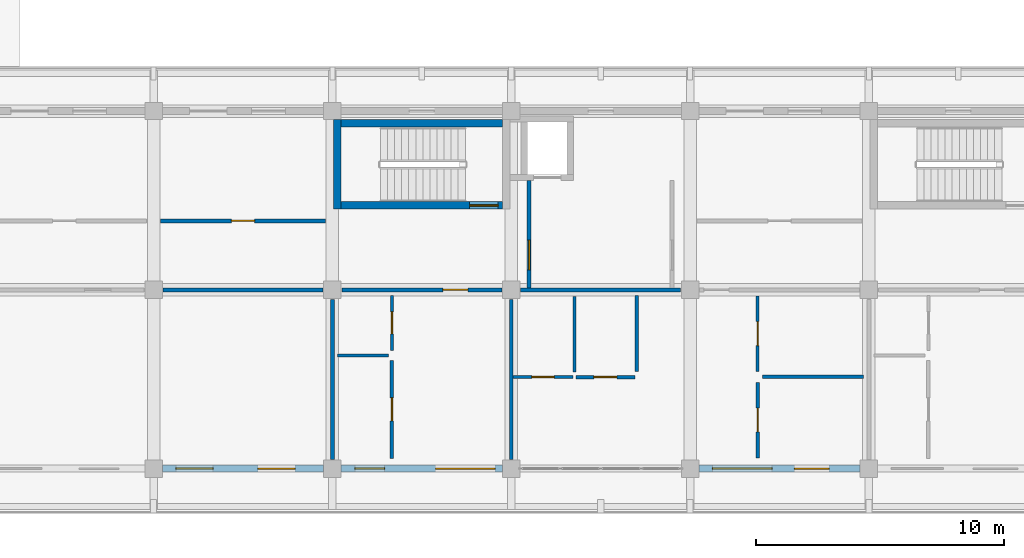
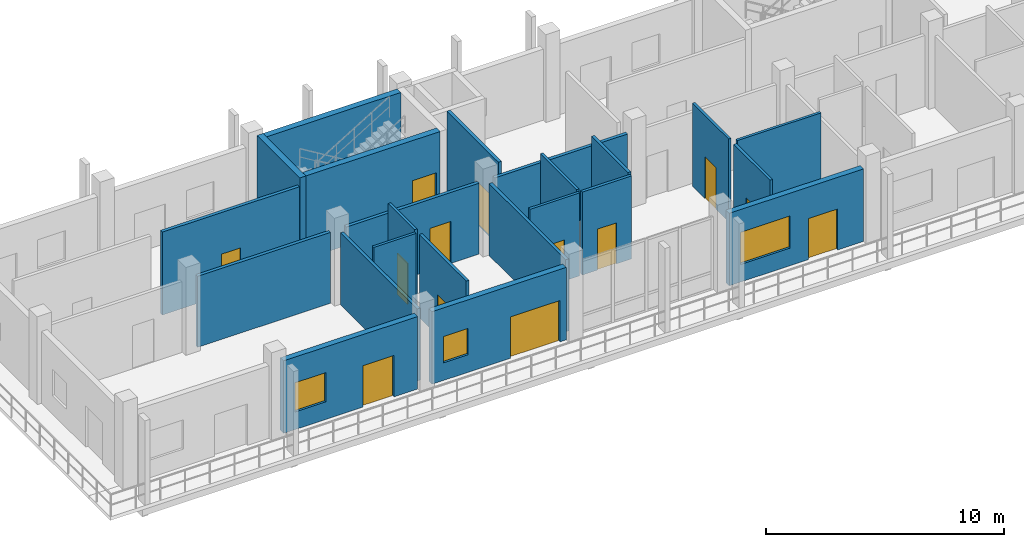
# One storey, part 81 of 110: 23 walls, 13 doors, 3 windows, 16 openings.
"""IFC4 building model written with IfcOpenShell, lengths in metres."""

from ifc_helpers import new_model, si_unit, direction, frame, frame_2d, origin, place, context, subcontext, project, spatial, rectangle, extrude, material, layer, layer_set, type_object, element, fill, save


model = new_model("IFC4")

# Units and contexts
model_context = context("Model", 3, precision=1e-05, world=origin(), true_north=direction((0.0, 1.0)))
body_context = subcontext(model_context, "Body", "Model", "MODEL_VIEW")
ifc_project = project(units=[si_unit("LENGTHUNIT", "METRE"), si_unit("AREAUNIT", "SQUARE_METRE"), si_unit("VOLUMEUNIT", "CUBIC_METRE"), si_unit("PLANEANGLEUNIT", "RADIAN"), si_unit("MASSUNIT", "GRAM", prefix="KILO")], contexts=[model_context])

# Site, building, storey
site_placement = place(None, origin())
site = spatial("IfcSite", under=ifc_project, at=site_placement, CompositionType="ELEMENT")
building_placement = place(site_placement, origin())
building = spatial("IfcBuilding", under=site, at=building_placement, Name="Suanplinth Sawtooth Commons", CompositionType="ELEMENT")
storey_placement = place(building_placement, frame((0.0, 0.0, 4.5)))
storey = spatial("IfcBuildingStorey", under=building, at=storey_placement, Name="L01", CompositionType="ELEMENT", Elevation=4.5)

# Wall, opening, door
ifc_material_1 = material(Name="Concrete C40/50", Category="concrete")
ifc_layer_1 = layer(ifc_material_1, 0.300048828125, Name="Standard RC stair and lift core wall 300mm")
ifc_layer_set_1 = layer_set([ifc_layer_1], Name="Concrete C40/50")
wall_type_1 = type_object("IfcWallType", Name="W-CR02", PredefinedType="SHEAR", material=ifc_layer_set_1)
wall_1_placement = place(storey_placement, frame((137.14990234375, 10.60009765625, 0.0), z_axis=(0.0, 0.0, 1.0), x_axis=(1.0, 0.0, 0.0)))
wall_1 = element("IfcWall", 1, at=wall_1_placement, inside=storey, type_object=wall_type_1, Name="W-L01-C-C1-STS", PredefinedType="SHEAR", context=body_context, shape_type="SweptSolid", body=[
    extrude(rectangle(XDim=6.5, YDim=0.300048828125, at=frame_2d((3.25, 0.0))), origin(), (0.0, 0.0, 1.0), 4.25),
])
opening_1_placement = place(wall_1_placement, frame((5.169921875, 0.0, 0.0)))
opening_1 = element("IfcOpeningElement", 2, at=opening_1_placement, cuts=wall_1, Name="Opening FD0284", PredefinedType="OPENING", context=body_context, shape_type="SweptSolid", body=[
    extrude(rectangle(XDim=1.14990234375, YDim=2.199951171875, at=frame_2d((0.574951171875, 1.10009765625))), frame((0.0, 0.1650390625, 0.0), z_axis=(0.0, -1.0, 0.0), x_axis=(1.0, 0.0, 0.0)), (0.0, 0.0, 1.0), 0.329833984375),
])
ifc_material_2 = material(Name="Teak hardwood fire-rated door assembly", Category="wood")
door_type_1 = type_object("IfcDoorType", Name="FD-01", OperationType="NOTDEFINED", PredefinedType="DOOR", material=ifc_material_2)
door_1_placement = place(opening_1_placement, origin())
door_1 = element("IfcDoor", 3, at=door_1_placement, inside=storey, type_object=door_type_1, Name="Exit Stair Fire Door FD0284", OperationType="SINGLE_SWING_LEFT", OverallHeight=2.199951171875, OverallWidth=1.14990234375, PredefinedType="DOOR", context=body_context, shape_type="SweptSolid", body=[
    extrude(rectangle(XDim=1.14990234375, YDim=2.199951171875, at=frame_2d((0.574951171875, 1.10009765625))), frame((0.0, 0.02490234375, 0.0), z_axis=(0.0, -1.0, 0.0), x_axis=(1.0, 0.0, 0.0)), (0.0, 0.0, 1.0), 0.050048828125),
])
fill(opening_1, door_1)

# Walls
wall_2_placement = place(storey_placement, frame((137.14990234375, 13.89990234375, 0.0), z_axis=(0.0, 0.0, 1.0), x_axis=(1.0, 0.0, 0.0)))
element("IfcWall", 4, at=wall_2_placement, inside=storey, type_object=wall_type_1, Name="W-L01-C-C1-STN", PredefinedType="SHEAR", context=body_context, shape_type="SweptSolid", body=[
    extrude(rectangle(XDim=6.5, YDim=0.300048828125, at=frame_2d((3.25, 0.0))), origin(), (0.0, 0.0, 1.0), 4.25),
])
wall_3_placement = place(storey_placement, frame((137.0, 10.449951171875, 0.0), z_axis=(0.0, 0.0, 1.0), x_axis=(0.0, 1.0, 0.0)))
element("IfcWall", 5, at=wall_3_placement, inside=storey, type_object=wall_type_1, Name="W-L01-C-C1-STW", PredefinedType="SHEAR", context=body_context, shape_type="SweptSolid", body=[
    extrude(rectangle(XDim=3.60009765625, YDim=0.300048828125, at=frame_2d((1.800048828125, 0.0))), origin(), (0.0, 0.0, 1.0), 4.25),
])

# Wall, openings, door, window
ifc_material_3 = material(Name="Precast concrete C40/50", Category="concrete")
ifc_layer_2 = layer(ifc_material_3, 0.280029296875, Name="Insulated precast architectural facade wall 280mm")
ifc_layer_set_2 = layer_set([ifc_layer_2], Name="Precast concrete C40/50")
wall_type_2 = type_object("IfcWallType", Name="W-EX01", PredefinedType="ELEMENTEDWALL", material=ifc_layer_set_2)
wall_4_placement = place(storey_placement, frame((129.949951171875, 0.0, 0.0), z_axis=(0.0, 0.0, 1.0), x_axis=(1.0, 0.0, 0.0)))
wall_4 = element("IfcWall", 6, at=wall_4_placement, inside=storey, type_object=wall_type_2, Name="Facade Wall W-L01-C-S-18-0", PredefinedType="ELEMENTEDWALL", context=body_context, shape_type="SweptSolid", body=[
    extrude(rectangle(XDim=6.5, YDim=0.280029296875, at=frame_2d((3.25, 0.0))), origin(), (0.0, 0.0, 1.0), 3.715087890625),
])
opening_2_placement = place(wall_4_placement, frame((3.85009765625, 0.0, 0.0)))
opening_2 = element("IfcOpeningElement", 7, at=opening_2_placement, cuts=wall_4, Name="Opening ED0090", PredefinedType="OPENING", context=body_context, shape_type="SweptSolid", body=[
    extrude(rectangle(XDim=1.5, YDim=2.1201171875, at=frame_2d((0.75, 1.06005859375))), frame((0.0, 0.15478515625, 0.0), z_axis=(0.0, -1.0, 0.0), x_axis=(1.0, 0.0, 0.0)), (0.0, 0.0, 1.0), 0.309814453125),
])
opening_3_placement = place(wall_4_placement, frame((0.550048828125, 0.0, 0.89990234375)))
opening_3 = element("IfcOpeningElement", 8, at=opening_3_placement, cuts=wall_4, Name="Opening W0212", PredefinedType="OPENING", context=body_context, shape_type="SweptSolid", body=[
    extrude(rectangle(XDim=1.5, YDim=1.5, at=frame_2d((0.75, 0.75))), frame((0.0, 0.15478515625, 0.0), z_axis=(0.0, -1.0, 0.0), x_axis=(1.0, 0.0, 0.0)), (0.0, 0.0, 1.0), 0.309814453125),
])
ifc_material_4 = material(Name="Anodized aluminium and low-E glass", Category="aluminium")
door_type_2 = type_object("IfcDoorType", Name="SD-03", OperationType="SLIDING_TO_LEFT", PredefinedType="DOOR", material=ifc_material_4)
door_2_placement = place(opening_2_placement, frame((1.5, 0.0, 0.0), z_axis=(0.0, 0.0, 1.0), x_axis=(-1.0, 0.0, 0.0)))
door_2 = element("IfcDoor", 9, at=door_2_placement, inside=storey, type_object=door_type_2, Name="Balcony Sliding Door L01-C-18", OperationType="SLIDING_TO_LEFT", OverallHeight=2.1201171875, OverallWidth=1.5, PredefinedType="DOOR", context=body_context, shape_type="SweptSolid", body=[
    extrude(rectangle(XDim=1.5, YDim=2.1201171875, at=frame_2d((0.75, 1.06005859375))), frame((0.0, 0.02490234375, 0.0), z_axis=(0.0, -1.0, 0.0), x_axis=(1.0, 0.0, 0.0)), (0.0, 0.0, 1.0), 0.050048828125),
])
fill(opening_2, door_2)
ifc_material_5 = material(Name="Thermally broken aluminium and low-E double glazing", Category="aluminium")
window_type_1 = type_object("IfcWindowType", Name="WN-02", PartitioningType="DOUBLE_PANEL_VERTICAL", PredefinedType="WINDOW", material=ifc_material_5)
window_1_placement = place(opening_3_placement, origin())
window_1 = element("IfcWindow", 10, at=window_1_placement, inside=storey, type_object=window_type_1, Name="Apartment Window L01-C-18", OverallHeight=1.5, OverallWidth=1.5, PartitioningType="DOUBLE_PANEL_VERTICAL", PredefinedType="WINDOW", context=body_context, shape_type="SweptSolid", body=[
    extrude(rectangle(XDim=1.5, YDim=1.5, at=frame_2d((0.75, 0.75))), frame((0.0, 0.030029296875, 0.0), z_axis=(0.0, -1.0, 0.0), x_axis=(1.0, 0.0, 0.0)), (0.0, 0.0, 1.0), 0.06005859375),
])
fill(opening_3, window_1)

wall_5_placement = place(storey_placement, frame((137.14990234375, 0.0, 0.0), z_axis=(0.0, 0.0, 1.0), x_axis=(1.0, 0.0, 0.0)))
wall_5 = element("IfcWall", 11, at=wall_5_placement, inside=storey, type_object=wall_type_2, Name="Facade Wall W-L01-C-S-19-0", PredefinedType="ELEMENTEDWALL", context=body_context, shape_type="SweptSolid", body=[
    extrude(rectangle(XDim=6.5, YDim=0.280029296875, at=frame_2d((3.25, 0.0))), origin(), (0.0, 0.0, 1.0), 3.715087890625),
])
opening_4_placement = place(wall_5_placement, frame((3.800048828125, 0.0, 0.0)))
opening_4 = element("IfcOpeningElement", 12, at=opening_4_placement, cuts=wall_5, Name="Opening ED0092", PredefinedType="OPENING", context=body_context, shape_type="SweptSolid", body=[
    extrude(rectangle(XDim=2.39990234375, YDim=2.1201171875, at=frame_2d((1.199951171875, 1.06005859375))), frame((0.0, 0.15478515625, 0.0), z_axis=(0.0, -1.0, 0.0), x_axis=(1.0, 0.0, 0.0)), (0.0, 0.0, 1.0), 0.309814453125),
])
opening_5_placement = place(wall_5_placement, frame((0.550048828125, 0.0, 0.89990234375)))
opening_5 = element("IfcOpeningElement", 13, at=opening_5_placement, cuts=wall_5, Name="Opening W0214", PredefinedType="OPENING", context=body_context, shape_type="SweptSolid", body=[
    extrude(rectangle(XDim=1.199951171875, YDim=1.35009765625, at=frame_2d((0.60009765625, 0.675048828125))), frame((0.0, 0.15478515625, 0.0), z_axis=(0.0, -1.0, 0.0), x_axis=(1.0, 0.0, 0.0)), (0.0, 0.0, 1.0), 0.309814453125),
])
door_type_3 = type_object("IfcDoorType", Name="SD-04", OperationType="DOUBLE_DOOR_SLIDING", PredefinedType="DOOR", material=ifc_material_4)
door_3_placement = place(opening_4_placement, frame((2.39990234375, 0.0, 0.0), z_axis=(0.0, 0.0, 1.0), x_axis=(-1.0, 0.0, 0.0)))
door_3 = element("IfcDoor", 14, at=door_3_placement, inside=storey, type_object=door_type_3, Name="Balcony Sliding Door L01-C-19", OperationType="DOUBLE_DOOR_SLIDING", OverallHeight=2.1201171875, OverallWidth=2.39990234375, PredefinedType="DOOR", context=body_context, shape_type="SweptSolid", body=[
    extrude(rectangle(XDim=2.39990234375, YDim=2.1201171875, at=frame_2d((1.199951171875, 1.06005859375))), frame((0.0, 0.02490234375, 0.0), z_axis=(0.0, -1.0, 0.0), x_axis=(1.0, 0.0, 0.0)), (0.0, 0.0, 1.0), 0.050048828125),
])
fill(opening_4, door_3)
window_type_2 = type_object("IfcWindowType", Name="WN-03", PartitioningType="SINGLE_PANEL", PredefinedType="WINDOW", material=ifc_material_5)
window_2_placement = place(opening_5_placement, origin())
window_2 = element("IfcWindow", 15, at=window_2_placement, inside=storey, type_object=window_type_2, Name="Apartment Window L01-C-19", OverallHeight=1.35009765625, OverallWidth=1.199951171875, PartitioningType="SINGLE_PANEL", PredefinedType="WINDOW", context=body_context, shape_type="SweptSolid", body=[
    extrude(rectangle(XDim=1.199951171875, YDim=1.35009765625, at=frame_2d((0.60009765625, 0.675048828125))), frame((0.0, 0.030029296875, 0.0), z_axis=(0.0, -1.0, 0.0), x_axis=(1.0, 0.0, 0.0)), (0.0, 0.0, 1.0), 0.06005859375),
])
fill(opening_5, window_2)

wall_6_placement = place(storey_placement, frame((151.550048828125, 0.0, 0.0), z_axis=(0.0, 0.0, 1.0), x_axis=(1.0, 0.0, 0.0)))
wall_6 = element("IfcWall", 16, at=wall_6_placement, inside=storey, type_object=wall_type_2, Name="Facade Wall W-L01-C-S-21-0", PredefinedType="ELEMENTEDWALL", context=body_context, shape_type="SweptSolid", body=[
    extrude(rectangle(XDim=6.5, YDim=0.280029296875, at=frame_2d((3.25, 0.0))), origin(), (0.0, 0.0, 1.0), 3.715087890625),
])
opening_6_placement = place(wall_6_placement, frame((3.85009765625, 0.0, 0.0)))
opening_6 = element("IfcOpeningElement", 17, at=opening_6_placement, cuts=wall_6, Name="Opening ED0093", PredefinedType="OPENING", context=body_context, shape_type="SweptSolid", body=[
    extrude(rectangle(XDim=1.39990234375, YDim=2.10009765625, at=frame_2d((0.699951171875, 1.050048828125))), frame((0.0, 0.15478515625, 0.0), z_axis=(0.0, -1.0, 0.0), x_axis=(1.0, 0.0, 0.0)), (0.0, 0.0, 1.0), 0.309814453125),
])
opening_7_placement = place(wall_6_placement, frame((0.550048828125, 0.0, 0.89990234375)))
opening_7 = element("IfcOpeningElement", 18, at=opening_7_placement, cuts=wall_6, Name="Opening W0217", PredefinedType="OPENING", context=body_context, shape_type="SweptSolid", body=[
    extrude(rectangle(XDim=2.39990234375, YDim=1.64990234375, at=frame_2d((1.199951171875, 0.824951171875))), frame((0.0, 0.15478515625, 0.0), z_axis=(0.0, -1.0, 0.0), x_axis=(1.0, 0.0, 0.0)), (0.0, 0.0, 1.0), 0.309814453125),
])
door_type_4 = type_object("IfcDoorType", Name="SD-07", OperationType="SLIDING_TO_RIGHT", PredefinedType="DOOR", material=ifc_material_4)
door_4_placement = place(opening_6_placement, frame((1.39990234375, 0.0, 0.0), z_axis=(0.0, 0.0, 1.0), x_axis=(-1.0, 0.0, 0.0)))
door_4 = element("IfcDoor", 19, at=door_4_placement, inside=storey, type_object=door_type_4, Name="Balcony Sliding Door L01-C-21", OperationType="SLIDING_TO_RIGHT", OverallHeight=2.10009765625, OverallWidth=1.39990234375, PredefinedType="DOOR", context=body_context, shape_type="SweptSolid", body=[
    extrude(rectangle(XDim=1.39990234375, YDim=2.10009765625, at=frame_2d((0.699951171875, 1.050048828125))), frame((0.0, 0.02490234375, 0.0), z_axis=(0.0, -1.0, 0.0), x_axis=(1.0, 0.0, 0.0)), (0.0, 0.0, 1.0), 0.050048828125),
])
fill(opening_6, door_4)
window_type_3 = type_object("IfcWindowType", Name="WN-05", PartitioningType="TRIPLE_PANEL_VERTICAL", PredefinedType="WINDOW", material=ifc_material_5)
window_3_placement = place(opening_7_placement, origin())
window_3 = element("IfcWindow", 20, at=window_3_placement, inside=storey, type_object=window_type_3, Name="Apartment Window L01-C-21", OverallHeight=1.64990234375, OverallWidth=2.39990234375, PartitioningType="TRIPLE_PANEL_VERTICAL", PredefinedType="WINDOW", context=body_context, shape_type="SweptSolid", body=[
    extrude(rectangle(XDim=2.39990234375, YDim=1.64990234375, at=frame_2d((1.199951171875, 0.824951171875))), frame((0.0, 0.030029296875, 0.0), z_axis=(0.0, -1.0, 0.0), x_axis=(1.0, 0.0, 0.0)), (0.0, 0.0, 1.0), 0.06005859375),
])
fill(opening_7, window_3)

# Wall, opening, door
ifc_layer_3 = layer(ifc_material_3, 0.159912109375, Name="Fire-rated corridor and lobby wall 160mm")
ifc_layer_set_3 = layer_set([ifc_layer_3], Name="Precast concrete C40/50")
wall_type_3 = type_object("IfcWallType", Name="W-FW01", PredefinedType="PARTITIONING", material=ifc_layer_set_3)
wall_7_placement = place(storey_placement, frame((144.719970703125, 7.280029296875, 0.0), z_axis=(0.0, 0.0, 1.0), x_axis=(0.0, 1.0, 0.0)))
wall_7 = element("IfcWall", 21, at=wall_7_placement, inside=storey, type_object=wall_type_3, Name="W-L01-C-C1-LOB-W", PredefinedType="PARTITIONING", context=body_context, shape_type="SweptSolid", body=[
    extrude(rectangle(XDim=4.320068359375, YDim=0.159912109375, at=frame_2d((2.16015625, 0.0))), origin(), (0.0, 0.0, 1.0), 4.25),
])
opening_8_placement = place(wall_7_placement, frame((0.719970703125, 0.0, 0.0)))
opening_8 = element("IfcOpeningElement", 22, at=opening_8_placement, cuts=wall_7, Name="Opening FD0285", PredefinedType="OPENING", context=body_context, shape_type="SweptSolid", body=[
    extrude(rectangle(XDim=1.199951171875, YDim=2.199951171875, at=frame_2d((0.60009765625, 1.10009765625))), frame((0.0, 0.0947265625, 0.0), z_axis=(0.0, -1.0, 0.0), x_axis=(1.0, 0.0, 0.0)), (0.0, 0.0, 1.0), 0.189697265625),
])
door_type_5 = type_object("IfcDoorType", Name="FD-02", OperationType="NOTDEFINED", PredefinedType="DOOR", material=ifc_material_2)
door_5_placement = place(opening_8_placement, origin())
door_5 = element("IfcDoor", 23, at=door_5_placement, inside=storey, type_object=door_type_5, Name="Lobby Fire Door FD0285", OperationType="SINGLE_SWING_RIGHT", OverallHeight=2.199951171875, OverallWidth=1.199951171875, PredefinedType="DOOR", context=body_context, shape_type="SweptSolid", body=[
    extrude(rectangle(XDim=1.199951171875, YDim=2.199951171875, at=frame_2d((0.60009765625, 1.10009765625))), frame((0.0, 0.02490234375, 0.0), z_axis=(0.0, -1.0, 0.0), x_axis=(1.0, 0.0, 0.0)), (0.0, 0.0, 1.0), 0.050048828125),
])
fill(opening_8, door_5)

# Wall
wall_8_placement = place(storey_placement, frame((129.97998046875, 7.199951171875, 0.0), z_axis=(0.0, 0.0, 1.0), x_axis=(1.0, 0.0, 0.0)))
element("IfcWall", 24, at=wall_8_placement, inside=storey, type_object=wall_type_3, Name="W-C-L01-U01-COR-S2", PredefinedType="PARTITIONING", context=body_context, shape_type="SweptSolid", body=[
    extrude(rectangle(XDim=6.43994140625, YDim=0.159912109375, at=frame_2d((3.219970703125, 0.0))), origin(), (0.0, 0.0, 1.0), 3.635009765625),
])

# Wall, opening, door
wall_9_placement = place(storey_placement, frame((137.179931640625, 7.199951171875, 0.0), z_axis=(0.0, 0.0, 1.0), x_axis=(1.0, 0.0, 0.0)))
wall_9 = element("IfcWall", 25, at=wall_9_placement, inside=storey, type_object=wall_type_3, Name="W-C-L01-U02-COR", PredefinedType="PARTITIONING", context=body_context, shape_type="SweptSolid", body=[
    extrude(rectangle(XDim=6.440185546875, YDim=0.159912109375, at=frame_2d((3.22021484375, 0.0))), origin(), (0.0, 0.0, 1.0), 3.635009765625),
])
opening_9_placement = place(wall_9_placement, frame((4.070068359375, 0.0, 0.0)))
opening_9 = element("IfcOpeningElement", 26, at=opening_9_placement, cuts=wall_9, Name="Opening FD0617", PredefinedType="OPENING", context=body_context, shape_type="SweptSolid", body=[
    extrude(rectangle(XDim=1.0, YDim=2.14990234375, at=frame_2d((0.5, 1.074951171875))), frame((0.0, 0.0947265625, 0.0), z_axis=(0.0, -1.0, 0.0), x_axis=(1.0, 0.0, 0.0)), (0.0, 0.0, 1.0), 0.189697265625),
])
door_type_6 = type_object("IfcDoorType", Name="FD-03", OperationType="NOTDEFINED", PredefinedType="DOOR", material=ifc_material_2)
door_6_placement = place(opening_9_placement, frame((1.0, 0.0, 0.0), z_axis=(0.0, 0.0, 1.0), x_axis=(-1.0, 0.0, 0.0)))
door_6 = element("IfcDoor", 27, at=door_6_placement, inside=storey, type_object=door_type_6, Name="Unit Entrance Door FD0617", OperationType="SINGLE_SWING_LEFT", OverallHeight=2.14990234375, OverallWidth=1.0, PredefinedType="DOOR", context=body_context, shape_type="SweptSolid", body=[
    extrude(rectangle(XDim=1.0, YDim=2.14990234375, at=frame_2d((0.5, 1.074951171875))), frame((0.0, 0.02490234375, 0.0), z_axis=(0.0, -1.0, 0.0), x_axis=(1.0, 0.0, 0.0)), (0.0, 0.0, 1.0), 0.050048828125),
])
fill(opening_9, door_6)

# Wall
wall_10_placement = place(storey_placement, frame((144.3798828125, 7.199951171875, 0.0), z_axis=(0.0, 0.0, 1.0), x_axis=(1.0, 0.0, 0.0)))
element("IfcWall", 28, at=wall_10_placement, inside=storey, type_object=wall_type_3, Name="W-C-L01-U03-COR-S1", PredefinedType="PARTITIONING", context=body_context, shape_type="SweptSolid", body=[
    extrude(rectangle(XDim=6.440185546875, YDim=0.159912109375, at=frame_2d((3.22021484375, 0.0))), origin(), (0.0, 0.0, 1.0), 3.635009765625),
])

# Wall, opening, door
wall_11_placement = place(storey_placement, frame((129.8798828125, 9.97998046875, 0.0), z_axis=(0.0, 0.0, 1.0), x_axis=(1.0, 0.0, 0.0)))
wall_11 = element("IfcWall", 29, at=wall_11_placement, inside=storey, type_object=wall_type_3, Name="W-C-L01-COURTROOM-49-COR", PredefinedType="PARTITIONING", context=body_context, shape_type="SweptSolid", body=[
    extrude(rectangle(XDim=6.64013671875, YDim=0.159912109375, at=frame_2d((3.320068359375, 0.0))), origin(), (0.0, 0.0, 1.0), 4.25),
])
opening_10_placement = place(wall_11_placement, frame((2.85009765625, 0.0, 0.0)))
opening_10 = element("IfcOpeningElement", 30, at=opening_10_placement, cuts=wall_11, Name="Opening D0637", PredefinedType="OPENING", context=body_context, shape_type="SweptSolid", body=[
    extrude(rectangle(XDim=0.93994140625, YDim=2.1201171875, at=frame_2d((0.469970703125, 1.06005859375))), frame((0.0, 0.0947265625, 0.0), z_axis=(0.0, -1.0, 0.0), x_axis=(1.0, 0.0, 0.0)), (0.0, 0.0, 1.0), 0.189697265625),
])
ifc_material_6 = material(Name="Teak hardwood", Category="wood")
door_type_7 = type_object("IfcDoorType", Name="D-15", OperationType="NOTDEFINED", PredefinedType="DOOR", material=ifc_material_6)
door_7_placement = place(opening_10_placement, origin())
door_7 = element("IfcDoor", 31, at=door_7_placement, inside=storey, type_object=door_type_7, Name="Study Studio Door D0637", OperationType="SINGLE_SWING_LEFT", OverallHeight=2.1201171875, OverallWidth=0.93994140625, PredefinedType="DOOR", context=body_context, shape_type="SweptSolid", body=[
    extrude(rectangle(XDim=0.93994140625, YDim=2.1201171875, at=frame_2d((0.469970703125, 1.06005859375))), frame((0.0, 0.02490234375, 0.0), z_axis=(0.0, -1.0, 0.0), x_axis=(1.0, 0.0, 0.0)), (0.0, 0.0, 1.0), 0.050048828125),
])
fill(opening_10, door_7)

# Walls
ifc_layer_4 = layer(ifc_material_3, 0.14990234375, Name="Acoustic precast party demising wall 150mm")
ifc_layer_set_4 = layer_set([ifc_layer_4], Name="Precast concrete C40/50")
wall_type_4 = type_object("IfcWallType", Name="W-FW02", PredefinedType="PARTITIONING", material=ifc_layer_set_4)
for number, where, z_axis, x_axis, name in (
    (32, (136.800048828125, 0.3798828125, 0.0), (0.0, 0.0, 1.0), (0.0, 1.0, 0.0), "W-C-L01-U01-PTY"),
    (33, (144.0, 0.3798828125, 0.0), (0.0, 0.0, 1.0), (0.0, 1.0, 0.0), "W-C-L01-U02-PTY"),
):
    element("IfcWall", number, at=place(storey_placement, frame(where, z_axis=z_axis, x_axis=x_axis)), inside=storey, type_object=wall_type_4, Name=name, PredefinedType="PARTITIONING", context=body_context, shape_type="SweptSolid", body=[
        extrude(rectangle(XDim=6.440185546875, YDim=0.14990234375, at=frame_2d((3.22021484375, 0.0))), origin(), (0.0, 0.0, 1.0), 3.68505859375),
    ])

# Wall, opening, door
ifc_material_7 = material(Name="Gypsum plasterboard on steel stud", Category="steel")
ifc_layer_5 = layer(ifc_material_7, 0.139892578125, Name="Fire-rated kitchen partition 140mm")
ifc_layer_set_5 = layer_set([ifc_layer_5], Name="Gypsum plasterboard on steel stud")
wall_type_5 = type_object("IfcWallType", Name="W-PT01", PredefinedType="PARTITIONING", material=ifc_layer_set_5)
wall_12_placement = place(storey_placement, frame((139.195068359375, 0.419921875, 0.0), z_axis=(0.0, 0.0, 1.0), x_axis=(0.0, 1.0, 0.0)))
wall_12 = element("IfcWall", 34, at=wall_12_placement, inside=storey, type_object=wall_type_5, Name="W-C-L01-U02-KITE", PredefinedType="PARTITIONING", context=body_context, shape_type="SweptSolid", body=[
    extrude(rectangle(XDim=3.940185546875, YDim=0.139892578125, at=frame_2d((1.97021484375, 0.0))), origin(), (0.0, 0.0, 1.0), 4.25),
])
opening_11_placement = place(wall_12_placement, frame((1.510009765625, 0.0, 0.0)))
opening_11 = element("IfcOpeningElement", 35, at=opening_11_placement, cuts=wall_12, Name="Opening D0619", PredefinedType="OPENING", context=body_context, shape_type="SweptSolid", body=[
    extrude(rectangle(XDim=0.919921875, YDim=2.10009765625, at=frame_2d((0.4599609375, 1.050048828125))), frame((0.0, 0.0849609375, 0.0), z_axis=(0.0, -1.0, 0.0), x_axis=(1.0, 0.0, 0.0)), (0.0, 0.0, 1.0), 0.169677734375),
])
door_type_8 = type_object("IfcDoorType", Name="D-02", OperationType="NOTDEFINED", PredefinedType="DOOR", material=ifc_material_6)
door_8_placement = place(opening_11_placement, origin())
door_8 = element("IfcDoor", 36, at=door_8_placement, inside=storey, type_object=door_type_8, Name="Kitchen Door D0619", OperationType="SINGLE_SWING_LEFT", OverallHeight=2.10009765625, OverallWidth=0.919921875, PredefinedType="DOOR", context=body_context, shape_type="SweptSolid", body=[
    extrude(rectangle(XDim=0.919921875, YDim=2.10009765625, at=frame_2d((0.4599609375, 1.050048828125))), frame((0.0, 0.02490234375, 0.0), z_axis=(0.0, -1.0, 0.0), x_axis=(1.0, 0.0, 0.0)), (0.0, 0.0, 1.0), 0.050048828125),
])
fill(opening_11, door_8)

wall_13_placement = place(storey_placement, frame((146.60009765625, 3.68994140625, 0.0), z_axis=(0.0, 0.0, 1.0), x_axis=(1.0, 0.0, 0.0)))
wall_13 = element("IfcWall", 37, at=wall_13_placement, inside=storey, type_object=wall_type_5, Name="W-C-L01-U03-KIT1", PredefinedType="PARTITIONING", context=body_context, shape_type="SweptSolid", body=[
    extrude(rectangle(XDim=2.3798828125, YDim=0.139892578125, at=frame_2d((1.18994140625, 0.0))), origin(), (0.0, 0.0, 1.0), 4.25),
])
opening_12_placement = place(wall_13_placement, frame((0.72998046875, 0.0, 0.0)))
opening_12 = element("IfcOpeningElement", 38, at=opening_12_placement, cuts=wall_13, Name="Opening D0622", PredefinedType="OPENING", context=body_context, shape_type="SweptSolid", body=[
    extrude(rectangle(XDim=0.919921875, YDim=2.10009765625, at=frame_2d((0.4599609375, 1.050048828125))), frame((0.0, 0.0849609375, 0.0), z_axis=(0.0, -1.0, 0.0), x_axis=(1.0, 0.0, 0.0)), (0.0, 0.0, 1.0), 0.169677734375),
])
door_9_placement = place(opening_12_placement, origin())
door_9 = element("IfcDoor", 39, at=door_9_placement, inside=storey, type_object=door_type_8, Name="Kitchen Door D0622", OperationType="SINGLE_SWING_RIGHT", OverallHeight=2.10009765625, OverallWidth=0.919921875, PredefinedType="DOOR", context=body_context, shape_type="SweptSolid", body=[
    extrude(rectangle(XDim=0.919921875, YDim=2.10009765625, at=frame_2d((0.4599609375, 1.050048828125))), frame((0.0, 0.02490234375, 0.0), z_axis=(0.0, -1.0, 0.0), x_axis=(1.0, 0.0, 0.0)), (0.0, 0.0, 1.0), 0.050048828125),
])
fill(opening_12, door_9)

# Walls
wall_14_placement = place(storey_placement, frame((149.050048828125, 3.909912109375, 0.0), z_axis=(0.0, 0.0, 1.0), x_axis=(0.0, 1.0, 0.0)))
element("IfcWall", 40, at=wall_14_placement, inside=storey, type_object=wall_type_5, Name="W-C-L01-U03-KIT2", PredefinedType="PARTITIONING", context=body_context, shape_type="SweptSolid", body=[
    extrude(rectangle(XDim=3.06005859375, YDim=0.139892578125, at=frame_2d((1.530029296875, 0.0))), origin(), (0.0, 0.0, 1.0), 4.25),
])
ifc_layer_6 = layer(ifc_material_7, 0.1298828125, Name="Moisture-resistant bathroom partition 130mm")
ifc_layer_set_6 = layer_set([ifc_layer_6], Name="Gypsum plasterboard on steel stud")
wall_type_6 = type_object("IfcWallType", Name="W-PT02", PredefinedType="PARTITIONING", material=ifc_layer_set_6)
wall_15_placement = place(storey_placement, frame((137.0, 4.56005859375, 0.0), z_axis=(0.0, 0.0, 1.0), x_axis=(1.0, 0.0, 0.0)))
element("IfcWall", 41, at=wall_15_placement, inside=storey, type_object=wall_type_6, Name="W-C-L01-U02-STDIV", PredefinedType="PARTITIONING", context=body_context, shape_type="SweptSolid", body=[
    extrude(rectangle(XDim=2.050048828125, YDim=0.1298828125, at=frame_2d((1.02490234375, 0.0))), origin(), (0.0, 0.0, 1.0), 4.25),
])

# Wall, opening, door
wall_16_placement = place(storey_placement, frame((139.195068359375, 4.760009765625, 0.0), z_axis=(0.0, 0.0, 1.0), x_axis=(0.0, 1.0, 0.0)))
wall_16 = element("IfcWall", 42, at=wall_16_placement, inside=storey, type_object=wall_type_6, Name="W-C-L01-U02-BTHE", PredefinedType="PARTITIONING", context=body_context, shape_type="SweptSolid", body=[
    extrude(rectangle(XDim=2.219970703125, YDim=0.1298828125, at=frame_2d((1.10986328125, 0.0))), origin(), (0.0, 0.0, 1.0), 4.25),
])
opening_13_placement = place(wall_16_placement, frame((0.669921875, 0.0, 0.0)))
opening_13 = element("IfcOpeningElement", 43, at=opening_13_placement, cuts=wall_16, Name="Opening D0618", PredefinedType="OPENING", context=body_context, shape_type="SweptSolid", body=[
    extrude(rectangle(XDim=0.8798828125, YDim=2.10009765625, at=frame_2d((0.43994140625, 1.050048828125))), frame((0.0, 0.079833984375, 0.0), z_axis=(0.0, -1.0, 0.0), x_axis=(1.0, 0.0, 0.0)), (0.0, 0.0, 1.0), 0.15966796875),
])
door_type_9 = type_object("IfcDoorType", Name="D-14", OperationType="NOTDEFINED", PredefinedType="DOOR", material=ifc_material_6)
door_10_placement = place(opening_13_placement, origin())
door_10 = element("IfcDoor", 44, at=door_10_placement, inside=storey, type_object=door_type_9, Name="Bathroom Door D0618", OperationType="SINGLE_SWING_RIGHT", OverallHeight=2.10009765625, OverallWidth=0.8798828125, PredefinedType="DOOR", context=body_context, shape_type="SweptSolid", body=[
    extrude(rectangle(XDim=0.8798828125, YDim=2.10009765625, at=frame_2d((0.43994140625, 1.050048828125))), frame((0.0, 0.02490234375, 0.0), z_axis=(0.0, -1.0, 0.0), x_axis=(1.0, 0.0, 0.0)), (0.0, 0.0, 1.0), 0.050048828125),
])
fill(opening_13, door_10)

wall_17_placement = place(storey_placement, frame((144.080078125, 3.695068359375, 0.0), z_axis=(0.0, 0.0, 1.0), x_axis=(1.0, 0.0, 0.0)))
wall_17 = element("IfcWall", 45, at=wall_17_placement, inside=storey, type_object=wall_type_6, Name="W-C-L01-U03-BTH1", PredefinedType="PARTITIONING", context=body_context, shape_type="SweptSolid", body=[
    extrude(rectangle(XDim=2.39990234375, YDim=0.1298828125, at=frame_2d((1.199951171875, 0.0))), origin(), (0.0, 0.0, 1.0), 4.25),
])
opening_14_placement = place(wall_17_placement, frame((0.75, 0.0, 0.0)))
opening_14 = element("IfcOpeningElement", 46, at=opening_14_placement, cuts=wall_17, Name="Opening D0621", PredefinedType="OPENING", context=body_context, shape_type="SweptSolid", body=[
    extrude(rectangle(XDim=0.89990234375, YDim=2.10009765625, at=frame_2d((0.449951171875, 1.050048828125))), frame((0.0, 0.079833984375, 0.0), z_axis=(0.0, -1.0, 0.0), x_axis=(1.0, 0.0, 0.0)), (0.0, 0.0, 1.0), 0.15966796875),
])
door_type_10 = type_object("IfcDoorType", Name="D-01", OperationType="NOTDEFINED", PredefinedType="DOOR", material=ifc_material_6)
door_11_placement = place(opening_14_placement, origin())
door_11 = element("IfcDoor", 47, at=door_11_placement, inside=storey, type_object=door_type_10, Name="Bathroom Door D0621", OperationType="SINGLE_SWING_LEFT", OverallHeight=2.10009765625, OverallWidth=0.89990234375, PredefinedType="DOOR", context=body_context, shape_type="SweptSolid", body=[
    extrude(rectangle(XDim=0.89990234375, YDim=2.10009765625, at=frame_2d((0.449951171875, 1.050048828125))), frame((0.0, 0.02490234375, 0.0), z_axis=(0.0, -1.0, 0.0), x_axis=(1.0, 0.0, 0.0)), (0.0, 0.0, 1.0), 0.050048828125),
])
fill(opening_14, door_11)

# Wall
wall_18_placement = place(storey_placement, frame((146.544921875, 3.89990234375, 0.0), z_axis=(0.0, 0.0, 1.0), x_axis=(0.0, 1.0, 0.0)))
element("IfcWall", 48, at=wall_18_placement, inside=storey, type_object=wall_type_6, Name="W-C-L01-U03-BTH2", PredefinedType="PARTITIONING", context=body_context, shape_type="SweptSolid", body=[
    extrude(rectangle(XDim=3.0400390625, YDim=0.1298828125, at=frame_2d((1.52001953125, 0.0))), origin(), (0.0, 0.0, 1.0), 4.25),
])

# Wall, opening, door
ifc_layer_7 = layer(ifc_material_7, 0.1201171875, Name="Acoustic bedroom partition 120mm")
ifc_layer_set_7 = layer_set([ifc_layer_7], Name="Gypsum plasterboard on steel stud")
wall_type_7 = type_object("IfcWallType", Name="W-PT03", PredefinedType="PARTITIONING", material=ifc_layer_set_7)
wall_19_placement = place(storey_placement, frame((153.919921875, 3.919921875, 0.0), z_axis=(0.0, 0.0, 1.0), x_axis=(0.0, 1.0, 0.0)))
wall_19 = element("IfcWall", 49, at=wall_19_placement, inside=storey, type_object=wall_type_7, Name="W-C-L01-U03-BED2", PredefinedType="PARTITIONING", context=body_context, shape_type="SweptSolid", body=[
    extrude(rectangle(XDim=3.0400390625, YDim=0.1201171875, at=frame_2d((1.52001953125, 0.0))), origin(), (0.0, 0.0, 1.0), 4.25),
])
opening_15_placement = place(wall_19_placement, frame((1.0400390625, 0.0, 0.0)))
opening_15 = element("IfcOpeningElement", 50, at=opening_15_placement, cuts=wall_19, Name="Opening D0624", PredefinedType="OPENING", context=body_context, shape_type="SweptSolid", body=[
    extrude(rectangle(XDim=0.9599609375, YDim=2.14990234375, at=frame_2d((0.47998046875, 1.074951171875))), frame((0.0, 0.074951171875, 0.0), z_axis=(0.0, -1.0, 0.0), x_axis=(1.0, 0.0, 0.0)), (0.0, 0.0, 1.0), 0.14990234375),
])
door_type_11 = type_object("IfcDoorType", Name="D-13", OperationType="NOTDEFINED", PredefinedType="DOOR", material=ifc_material_6)
door_12_placement = place(opening_15_placement, frame((0.9599609375, 0.0, 0.0), z_axis=(0.0, 0.0, 1.0), x_axis=(-1.0, 0.0, 0.0)))
door_12 = element("IfcDoor", 51, at=door_12_placement, inside=storey, type_object=door_type_11, Name="Second Bedroom Door D0624", OperationType="SINGLE_SWING_RIGHT", OverallHeight=2.14990234375, OverallWidth=0.9599609375, PredefinedType="DOOR", context=body_context, shape_type="SweptSolid", body=[
    extrude(rectangle(XDim=0.9599609375, YDim=2.14990234375, at=frame_2d((0.47998046875, 1.074951171875))), frame((0.0, 0.02490234375, 0.0), z_axis=(0.0, -1.0, 0.0), x_axis=(1.0, 0.0, 0.0)), (0.0, 0.0, 1.0), 0.050048828125),
])
fill(opening_15, door_12)

# Wall
ifc_layer_8 = layer(ifc_material_7, 0.125, Name="Acoustic study partition 125mm")
ifc_layer_set_8 = layer_set([ifc_layer_8], Name="Gypsum plasterboard on steel stud")
wall_type_8 = type_object("IfcWallType", Name="W-PT06", PredefinedType="PARTITIONING", material=ifc_layer_set_8)
wall_20_placement = place(storey_placement, frame((154.1201171875, 3.699951171875, 0.0), z_axis=(0.0, 0.0, 1.0), x_axis=(1.0, 0.0, 0.0)))
element("IfcWall", 52, at=wall_20_placement, inside=storey, type_object=wall_type_8, Name="W-C-L01-U03-BEDDIV", PredefinedType="PARTITIONING", context=body_context, shape_type="SweptSolid", body=[
    extrude(rectangle(XDim=4.059814453125, YDim=0.125, at=frame_2d((2.02978515625, 0.0))), origin(), (0.0, 0.0, 1.0), 4.25),
])

# Wall, opening, door
ifc_layer_9 = layer(ifc_material_7, 0.135009765625, Name="Insulated bedroom demising partition 135mm")
ifc_layer_set_9 = layer_set([ifc_layer_9], Name="Gypsum plasterboard on steel stud")
wall_type_9 = type_object("IfcWallType", Name="W-PT07", PredefinedType="PARTITIONING", material=ifc_layer_set_9)
wall_21_placement = place(storey_placement, frame((153.919921875, 0.43994140625, 0.0), z_axis=(0.0, 0.0, 1.0), x_axis=(0.0, 1.0, 0.0)))
wall_21 = element("IfcWall", 53, at=wall_21_placement, inside=storey, type_object=wall_type_9, Name="W-C-L01-U03-BED1", PredefinedType="PARTITIONING", context=body_context, shape_type="SweptSolid", body=[
    extrude(rectangle(XDim=3.0400390625, YDim=0.135009765625, at=frame_2d((1.52001953125, 0.0))), origin(), (0.0, 0.0, 1.0), 4.25),
])
opening_16_placement = place(wall_21_placement, frame((1.044921875, 0.0, 0.0)))
opening_16 = element("IfcOpeningElement", 54, at=opening_16_placement, cuts=wall_21, Name="Opening D0623", PredefinedType="OPENING", context=body_context, shape_type="SweptSolid", body=[
    extrude(rectangle(XDim=0.949951171875, YDim=2.14990234375, at=frame_2d((0.47509765625, 1.074951171875))), frame((0.0, 0.08251953125, 0.0), z_axis=(0.0, -1.0, 0.0), x_axis=(1.0, 0.0, 0.0)), (0.0, 0.0, 1.0), 0.164794921875),
])
door_type_12 = type_object("IfcDoorType", Name="D-03", OperationType="NOTDEFINED", PredefinedType="DOOR", material=ifc_material_6)
door_13_placement = place(opening_16_placement, frame((0.949951171875, 0.0, 0.0), z_axis=(0.0, 0.0, 1.0), x_axis=(-1.0, 0.0, 0.0)))
door_13 = element("IfcDoor", 55, at=door_13_placement, inside=storey, type_object=door_type_12, Name="Bedroom Door D0623", OperationType="SINGLE_SWING_LEFT", OverallHeight=2.14990234375, OverallWidth=0.949951171875, PredefinedType="DOOR", context=body_context, shape_type="SweptSolid", body=[
    extrude(rectangle(XDim=0.949951171875, YDim=2.14990234375, at=frame_2d((0.47509765625, 1.074951171875))), frame((0.0, 0.02490234375, 0.0), z_axis=(0.0, -1.0, 0.0), x_axis=(1.0, 0.0, 0.0)), (0.0, 0.0, 1.0), 0.050048828125),
])
fill(opening_16, door_13)

save(model, "model.ifc")
